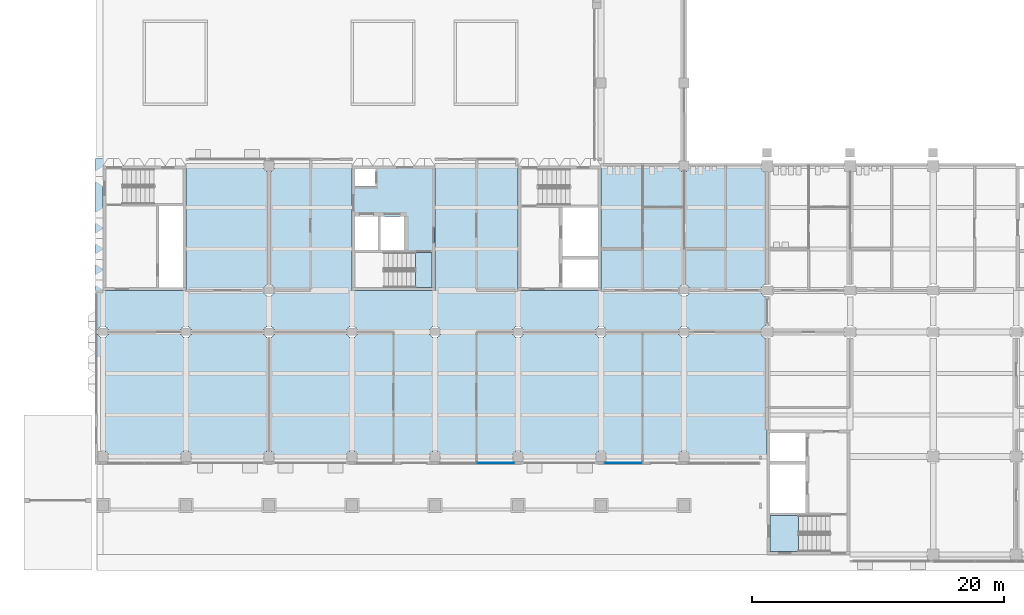
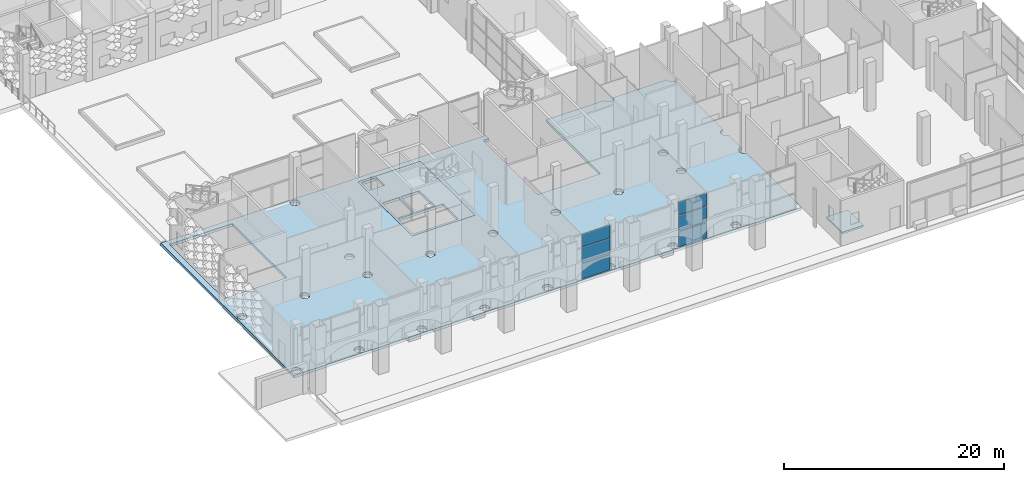
# One storey, part 18 of 85: 6 plates, 4 slabs, 4 elements without a shape of their own.
"""IFC4 building model written with IfcOpenShell, lengths in metres."""

from ifc_helpers import new_model, si_unit, direction, frame, origin, origin_2d, place, context, subcontext, project, spatial, polyline, rectangle, outline, extrude, material, layer, layer_set, type_object, element, aggregate, save


model = new_model("IFC4")

# Units and contexts
model_context = context("Model", 3, precision=1e-05, world=origin(), true_north=direction((0.0, 1.0)))
body_context = subcontext(model_context, "Body", "Model", "MODEL_VIEW")
ifc_project = project(units=[si_unit("LENGTHUNIT", "METRE"), si_unit("AREAUNIT", "SQUARE_METRE"), si_unit("VOLUMEUNIT", "CUBIC_METRE"), si_unit("PLANEANGLEUNIT", "RADIAN"), si_unit("MASSUNIT", "GRAM", prefix="KILO")], contexts=[model_context])

# Site, building, storey
site_placement = place(None, origin())
site = spatial("IfcSite", under=ifc_project, at=site_placement, CompositionType="ELEMENT")
building_placement = place(site_placement, origin())
building = spatial("IfcBuilding", under=site, at=building_placement, Name="Lantern Court Research Institute", CompositionType="ELEMENT")
storey_placement = place(building_placement, origin())
storey = spatial("IfcBuildingStorey", under=building, at=storey_placement, Name="L00", CompositionType="ELEMENT", Elevation=0.0)

# Curtain wall, plates
ifc_material_1 = material(Name="Aluminium alloy 6063-T6", Category="aluminium")
curtain_wall_type_1 = type_object("IfcCurtainWallType", Name="Curtain wall 6150 x 5100 x 150 aluminium frame", PredefinedType="NOTDEFINED", material=ifc_material_1)
curtain_wall_1_placement = place(storey_placement, origin())
curtain_wall_1 = element("IfcCurtainWall", 1, at=curtain_wall_1_placement, inside=storey, type_object=curtain_wall_type_1, Name="Curtain wall CW010", PredefinedType="NOTDEFINED")
ifc_material_2 = material(Name="Laminated low-emissivity glass", Category="glass")
ifc_layer_1 = layer(ifc_material_2, 0.0439453125)
ifc_layer_set_1 = layer_set([ifc_layer_1], Name="Laminated low-emissivity glass")
plate_type = type_object("IfcPlateType", Name="Acoustic laminated unit 44 mm over the arcade", PredefinedType="CURTAIN_PANEL", material=ifc_layer_set_1)
plate_1_placement = place(storey_placement, frame((31.217529296875, -0.52490234375, 0.080078125), z_axis=(0.0, 0.0, 1.0), x_axis=(-1.0, 0.0, 0.0)))
plate_1 = element("IfcPlate", 2, at=plate_1_placement, type_object=plate_type, Name="CW010 glazed panel 2.1", PredefinedType="CURTAIN_PANEL", context=body_context, shape_type="SweptSolid", body=[
    extrude(rectangle(XDim=2.955078125, YDim=0.0439453125, at=origin_2d()), origin(), (0.0, 0.0, 1.0), 1.679931640625),
])
plate_2_placement = place(storey_placement, frame((31.217529296875, -0.52490234375, 1.83984375), z_axis=(0.0, 0.0, 1.0), x_axis=(-1.0, 0.0, 0.0)))
plate_2 = element("IfcPlate", 3, at=plate_2_placement, type_object=plate_type, Name="CW010 glazed panel 2.2", PredefinedType="CURTAIN_PANEL", context=body_context, shape_type="SweptSolid", body=[
    extrude(rectangle(XDim=2.955078125, YDim=0.0439453125, at=origin_2d()), origin(), (0.0, 0.0, 1.0), 1.719970703125),
])
plate_3_placement = place(storey_placement, frame((31.217529296875, -0.52490234375, 3.64013671875), z_axis=(0.0, 0.0, 1.0), x_axis=(-1.0, 0.0, 0.0)))
plate_3 = element("IfcPlate", 4, at=plate_3_placement, type_object=plate_type, Name="CW010 glazed panel 2.3", PredefinedType="CURTAIN_PANEL", context=body_context, shape_type="SweptSolid", body=[
    extrude(rectangle(XDim=2.955078125, YDim=0.0439453125, at=origin_2d()), origin(), (0.0, 0.0, 1.0), 1.3798828125),
])
aggregate(curtain_wall_1, [plate_1, plate_2, plate_3])

ifc_material_3 = material(Name="Aluminium alloy 6063-T6", Category="aluminium")
curtain_wall_type_2 = type_object("IfcCurtainWallType", Name="Curtain wall 3075 x 5100 x 150 aluminium frame", PredefinedType="NOTDEFINED", material=ifc_material_3)
curtain_wall_2_placement = place(storey_placement, origin())
curtain_wall_2 = element("IfcCurtainWall", 5, at=curtain_wall_2_placement, inside=storey, type_object=curtain_wall_type_2, Name="Curtain wall CW011", PredefinedType="NOTDEFINED")
plate_4_placement = place(storey_placement, frame((41.362548828125, -0.52490234375, 0.080078125), z_axis=(0.0, 0.0, 1.0), x_axis=(-1.0, 0.0, 0.0)))
plate_4 = element("IfcPlate", 6, at=plate_4_placement, type_object=plate_type, Name="CW011 glazed panel 1.1", PredefinedType="CURTAIN_PANEL", context=body_context, shape_type="SweptSolid", body=[
    extrude(rectangle(XDim=2.9150390625, YDim=0.0439453125, at=origin_2d()), origin(), (0.0, 0.0, 1.0), 1.679931640625),
])
plate_5_placement = place(storey_placement, frame((41.362548828125, -0.52490234375, 1.83984375), z_axis=(0.0, 0.0, 1.0), x_axis=(-1.0, 0.0, 0.0)))
plate_5 = element("IfcPlate", 7, at=plate_5_placement, type_object=plate_type, Name="CW011 glazed panel 1.2", PredefinedType="CURTAIN_PANEL", context=body_context, shape_type="SweptSolid", body=[
    extrude(rectangle(XDim=2.9150390625, YDim=0.0439453125, at=origin_2d()), origin(), (0.0, 0.0, 1.0), 1.719970703125),
])
plate_6_placement = place(storey_placement, frame((41.362548828125, -0.52490234375, 3.64013671875), z_axis=(0.0, 0.0, 1.0), x_axis=(-1.0, 0.0, 0.0)))
plate_6 = element("IfcPlate", 8, at=plate_6_placement, type_object=plate_type, Name="CW011 glazed panel 1.3", PredefinedType="CURTAIN_PANEL", context=body_context, shape_type="SweptSolid", body=[
    extrude(rectangle(XDim=2.9150390625, YDim=0.0439453125, at=origin_2d()), origin(), (0.0, 0.0, 1.0), 1.3798828125),
])
aggregate(curtain_wall_2, [plate_4, plate_5, plate_6])

# Slabs
ifc_material_4 = material(Name="Concrete C35/45", Category="concrete")
ifc_layer_2 = layer(ifc_material_4, 0.300048828125)
ifc_layer_set_2 = layer_set([ifc_layer_2], Name="Concrete C35/45")
slab_type_1 = type_object("IfcSlabType", Name="RC core floor slab 300", PredefinedType="FLOOR", material=ifc_layer_set_2)
slab_1_placement = place(storey_placement, frame((0.0, 0.0, -0.300048828125)))
element("IfcSlab", 9, at=slab_1_placement, inside=storey, type_object=slab_type_1, Name="Floor of core BC-M", PredefinedType="FLOOR", context=body_context, shape_type="SweptSolid", body=[
    extrude(outline(polyline([(19.800048828125, 13.199951171875), (26.39990234375, 13.199951171875), (26.39990234375, 23.10009765625), (19.800048828125, 23.10009765625), (19.800048828125, 13.199951171875)]), holes=[polyline([(24.800048828125, 16.199951171875), (20.050048828125, 16.199951171875), (20.050048828125, 13.449951171875), (24.800048828125, 13.449951171875), (24.800048828125, 16.199951171875)]), polyline([(20.050048828125, 16.39990234375), (21.85009765625, 16.39990234375), (21.85009765625, 19.10009765625), (20.050048828125, 19.10009765625), (20.050048828125, 16.39990234375)]), polyline([(22.050048828125, 16.39990234375), (23.949951171875, 16.39990234375), (23.949951171875, 19.10009765625), (22.050048828125, 19.10009765625), (22.050048828125, 16.39990234375)]), polyline([(21.64990234375, 21.449951171875), (20.050048828125, 21.449951171875), (20.050048828125, 22.85009765625), (21.64990234375, 22.85009765625), (21.64990234375, 21.449951171875)])]), origin(), (0.0, 0.0, 1.0), 0.300048828125),
])
ifc_material_5 = material(Name="Concrete C35/45", Category="concrete")
ifc_layer_3 = layer(ifc_material_5, 0.300048828125)
ifc_layer_set_3 = layer_set([ifc_layer_3], Name="Concrete C35/45")
slab_type_2 = type_object("IfcSlabType", Name="RC floor slab 300 over car park", PredefinedType="FLOOR", material=ifc_layer_set_3)
slab_2_placement = place(storey_placement, frame((0.0, 0.0, -0.300048828125)))
element("IfcSlab", 10, at=slab_2_placement, inside=storey, type_object=slab_type_2, Name="Floor slab L00 Wet Laboratory Wing", PredefinedType="FLOOR", context=body_context, shape_type="SweptSolid", body=[
    extrude(outline(polyline([(-0.60009765625, 0.0), (-0.60009765625, -0.60009765625), (52.800048828125, -0.60009765625), (52.800048828125, 0.0), (52.800048828125, 2.10009765625), (52.800048828125, 9.397705078125), (52.701904296875, 9.4072265625), (52.607666015625, 9.435791015625), (52.52099609375, 9.482421875), (52.444580078125, 9.544677734375), (52.38232421875, 9.620849609375), (52.335693359375, 9.707763671875), (52.30712890625, 9.802001953125), (52.297607421875, 9.89990234375), (52.30712890625, 9.998046875), (52.335693359375, 10.09228515625), (52.38232421875, 10.17919921875), (52.444580078125, 10.25537109375), (52.52099609375, 10.317626953125), (52.607666015625, 10.3642578125), (52.701904296875, 10.392822265625), (52.800048828125, 10.40234375), (52.800048828125, 12.697509765625), (52.701904296875, 12.707275390625), (52.607666015625, 12.73583984375), (52.52099609375, 12.7822265625), (52.444580078125, 12.8447265625), (52.38232421875, 12.9208984375), (52.335693359375, 13.0078125), (52.30712890625, 13.10205078125), (52.297607421875, 13.199951171875), (52.30712890625, 13.298095703125), (52.335693359375, 13.392333984375), (52.38232421875, 13.47900390625), (52.444580078125, 13.555419921875), (52.52099609375, 13.61767578125), (52.607666015625, 13.664306640625), (52.701904296875, 13.69287109375), (52.800048828125, 13.702392578125), (52.800048828125, 22.59765625), (52.701904296875, 22.607177734375), (52.607666015625, 22.6357421875), (52.52099609375, 22.682373046875), (52.444580078125, 22.74462890625), (52.38232421875, 22.82080078125), (52.335693359375, 22.90771484375), (52.30712890625, 23.001953125), (52.297607421875, 23.10009765625), (46.652099609375, 23.10009765625), (46.6435546875, 23.01171875), (46.617919921875, 22.927001953125), (46.575927734375, 22.848876953125), (46.519775390625, 22.7802734375), (46.451171875, 22.72412109375), (46.373046875, 22.68212890625), (46.2880859375, 22.656494140625), (46.199951171875, 22.647705078125), (46.11181640625, 22.656494140625), (46.027099609375, 22.68212890625), (45.94873046875, 22.72412109375), (45.88037109375, 22.7802734375), (45.823974609375, 22.848876953125), (45.7822265625, 22.927001953125), (45.756591796875, 23.01171875), (45.747802734375, 23.10009765625), (39.60009765625, 23.10009765625), (39.60009765625, 13.199951171875), (33.0, 13.199951171875), (33.0, 23.10009765625), (33.60009765625, 23.10009765625), (33.60009765625, 23.699951171875), (-0.60009765625, 23.699951171875), (-0.60009765625, 23.10009765625), (-0.60009765625, 0.0)]), holes=[polyline([(0.319580078125, -0.319580078125), (0.251220703125, -0.3759765625), (0.173095703125, -0.417724609375), (0.088134765625, -0.443603515625), (0.0, -0.4521484375), (-0.088134765625, -0.443603515625), (-0.173095703125, -0.417724609375), (-0.251220703125, -0.3759765625), (-0.319580078125, -0.319580078125), (-0.3759765625, -0.251220703125), (-0.417724609375, -0.173095703125), (-0.443603515625, -0.088134765625), (-0.4521484375, 0.0), (-0.443603515625, 0.088134765625), (-0.417724609375, 0.173095703125), (-0.3759765625, 0.251220703125), (-0.319580078125, 0.319580078125), (-0.251220703125, 0.3759765625), (-0.173095703125, 0.417724609375), (-0.088134765625, 0.443603515625), (0.0, 0.4521484375), (0.088134765625, 0.443603515625), (0.173095703125, 0.417724609375), (0.251220703125, 0.3759765625), (0.319580078125, 0.319580078125), (0.3759765625, 0.251220703125), (0.417724609375, 0.173095703125), (0.443603515625, 0.088134765625), (0.4521484375, 0.0), (0.443603515625, -0.088134765625), (0.417724609375, -0.173095703125), (0.3759765625, -0.251220703125), (0.319580078125, -0.319580078125)]), polyline([(33.319580078125, -0.319580078125), (33.251220703125, -0.3759765625), (33.173095703125, -0.417724609375), (33.088134765625, -0.443603515625), (33.0, -0.4521484375), (32.911865234375, -0.443603515625), (32.826904296875, -0.417724609375), (32.748779296875, -0.3759765625), (32.680419921875, -0.319580078125), (32.6240234375, -0.251220703125), (32.582275390625, -0.173095703125), (32.556396484375, -0.088134765625), (32.5478515625, 0.0), (32.556396484375, 0.088134765625), (32.582275390625, 0.173095703125), (32.6240234375, 0.251220703125), (32.680419921875, 0.319580078125), (32.748779296875, 0.3759765625), (32.826904296875, 0.417724609375), (32.911865234375, 0.443603515625), (33.0, 0.4521484375), (33.088134765625, 0.443603515625), (33.173095703125, 0.417724609375), (33.251220703125, 0.3759765625), (33.319580078125, 0.319580078125), (33.3759765625, 0.251220703125), (33.417724609375, 0.173095703125), (33.443603515625, 0.088134765625), (33.4521484375, 0.0), (33.443603515625, -0.088134765625), (33.417724609375, -0.173095703125), (33.3759765625, -0.251220703125), (33.319580078125, -0.319580078125)]), polyline([(26.7197265625, -0.319580078125), (26.651123046875, -0.3759765625), (26.572998046875, -0.417724609375), (26.48828125, -0.443603515625), (26.39990234375, -0.4521484375), (26.311767578125, -0.443603515625), (26.22705078125, -0.417724609375), (26.148681640625, -0.3759765625), (26.080322265625, -0.319580078125), (26.02392578125, -0.251220703125), (25.982177734375, -0.173095703125), (25.95654296875, -0.088134765625), (25.94775390625, 0.0), (25.95654296875, 0.088134765625), (25.982177734375, 0.173095703125), (26.02392578125, 0.251220703125), (26.080322265625, 0.319580078125), (26.148681640625, 0.3759765625), (26.22705078125, 0.417724609375), (26.311767578125, 0.443603515625), (26.39990234375, 0.4521484375), (26.48828125, 0.443603515625), (26.572998046875, 0.417724609375), (26.651123046875, 0.3759765625), (26.7197265625, 0.319580078125), (26.77587890625, 0.251220703125), (26.81787109375, 0.173095703125), (26.843505859375, 0.088134765625), (26.852294921875, 0.0), (26.843505859375, -0.088134765625), (26.81787109375, -0.173095703125), (26.77587890625, -0.251220703125), (26.7197265625, -0.319580078125)]), polyline([(20.11962890625, -0.319580078125), (20.05126953125, -0.3759765625), (19.972900390625, -0.417724609375), (19.88818359375, -0.443603515625), (19.800048828125, -0.4521484375), (19.7119140625, -0.443603515625), (19.626953125, -0.417724609375), (19.548828125, -0.3759765625), (19.480224609375, -0.319580078125), (19.424072265625, -0.251220703125), (19.382080078125, -0.173095703125), (19.3564453125, -0.088134765625), (19.347900390625, 0.0), (19.3564453125, 0.088134765625), (19.382080078125, 0.173095703125), (19.424072265625, 0.251220703125), (19.480224609375, 0.319580078125), (19.548828125, 0.3759765625), (19.626953125, 0.417724609375), (19.7119140625, 0.443603515625), (19.800048828125, 0.4521484375), (19.88818359375, 0.443603515625), (19.972900390625, 0.417724609375), (20.05126953125, 0.3759765625), (20.11962890625, 0.319580078125), (20.176025390625, 0.251220703125), (20.2177734375, 0.173095703125), (20.243408203125, 0.088134765625), (20.252197265625, 0.0), (20.243408203125, -0.088134765625), (20.2177734375, -0.173095703125), (20.176025390625, -0.251220703125), (20.11962890625, -0.319580078125)]), polyline([(13.519775390625, -0.319580078125), (13.451171875, -0.3759765625), (13.373046875, -0.417724609375), (13.2880859375, -0.443603515625), (13.199951171875, -0.4521484375), (13.11181640625, -0.443603515625), (13.027099609375, -0.417724609375), (12.94873046875, -0.3759765625), (12.88037109375, -0.319580078125), (12.823974609375, -0.251220703125), (12.7822265625, -0.173095703125), (12.756591796875, -0.088134765625), (12.747802734375, 0.0), (12.756591796875, 0.088134765625), (12.7822265625, 0.173095703125), (12.823974609375, 0.251220703125), (12.88037109375, 0.319580078125), (12.94873046875, 0.3759765625), (13.027099609375, 0.417724609375), (13.11181640625, 0.443603515625), (13.199951171875, 0.4521484375), (13.2880859375, 0.443603515625), (13.373046875, 0.417724609375), (13.451171875, 0.3759765625), (13.519775390625, 0.319580078125), (13.575927734375, 0.251220703125), (13.617919921875, 0.173095703125), (13.6435546875, 0.088134765625), (13.652099609375, 0.0), (13.6435546875, -0.088134765625), (13.617919921875, -0.173095703125), (13.575927734375, -0.251220703125), (13.519775390625, -0.319580078125)]), polyline([(6.919677734375, -0.319580078125), (6.851318359375, -0.3759765625), (6.77294921875, -0.417724609375), (6.688232421875, -0.443603515625), (6.60009765625, -0.4521484375), (6.51171875, -0.443603515625), (6.427001953125, -0.417724609375), (6.348876953125, -0.3759765625), (6.2802734375, -0.319580078125), (6.22412109375, -0.251220703125), (6.18212890625, -0.173095703125), (6.156494140625, -0.088134765625), (6.147705078125, 0.0), (6.156494140625, 0.088134765625), (6.18212890625, 0.173095703125), (6.22412109375, 0.251220703125), (6.2802734375, 0.319580078125), (6.348876953125, 0.3759765625), (6.427001953125, 0.417724609375), (6.51171875, 0.443603515625), (6.60009765625, 0.4521484375), (6.688232421875, 0.443603515625), (6.77294921875, 0.417724609375), (6.851318359375, 0.3759765625), (6.919677734375, 0.319580078125), (6.97607421875, 0.251220703125), (7.017822265625, 0.173095703125), (7.04345703125, 0.088134765625), (7.05224609375, 0.0), (7.04345703125, -0.088134765625), (7.017822265625, -0.173095703125), (6.97607421875, -0.251220703125), (6.919677734375, -0.319580078125)]), polyline([(6.919677734375, 9.580322265625), (6.851318359375, 9.52392578125), (6.77294921875, 9.482177734375), (6.688232421875, 9.45654296875), (6.60009765625, 9.44775390625), (6.51171875, 9.45654296875), (6.427001953125, 9.482177734375), (6.348876953125, 9.52392578125), (6.2802734375, 9.580322265625), (6.22412109375, 9.648681640625), (6.18212890625, 9.72705078125), (6.156494140625, 9.811767578125), (6.147705078125, 9.89990234375), (6.156494140625, 9.98828125), (6.18212890625, 10.072998046875), (6.22412109375, 10.151123046875), (6.2802734375, 10.2197265625), (6.348876953125, 10.27587890625), (6.427001953125, 10.31787109375), (6.51171875, 10.343505859375), (6.60009765625, 10.352294921875), (6.688232421875, 10.343505859375), (6.77294921875, 10.31787109375), (6.851318359375, 10.27587890625), (6.919677734375, 10.2197265625), (6.97607421875, 10.151123046875), (7.017822265625, 10.072998046875), (7.04345703125, 9.98828125), (7.05224609375, 9.89990234375), (7.04345703125, 9.811767578125), (7.017822265625, 9.72705078125), (6.97607421875, 9.648681640625), (6.919677734375, 9.580322265625)]), polyline([(13.451171875, 9.52392578125), (13.373046875, 9.482177734375), (13.2880859375, 9.45654296875), (13.199951171875, 9.44775390625), (13.11181640625, 9.45654296875), (13.027099609375, 9.482177734375), (12.94873046875, 9.52392578125), (12.88037109375, 9.580322265625), (12.823974609375, 9.648681640625), (12.7822265625, 9.72705078125), (12.756591796875, 9.811767578125), (12.747802734375, 9.89990234375), (12.756591796875, 9.98828125), (12.7822265625, 10.072998046875), (12.823974609375, 10.151123046875), (12.88037109375, 10.2197265625), (12.94873046875, 10.27587890625), (13.027099609375, 10.31787109375), (13.11181640625, 10.343505859375), (13.199951171875, 10.352294921875), (13.2880859375, 10.343505859375), (13.373046875, 10.31787109375), (13.451171875, 10.27587890625), (13.519775390625, 10.2197265625), (13.575927734375, 10.151123046875), (13.617919921875, 10.072998046875), (13.6435546875, 9.98828125), (13.652099609375, 9.89990234375), (13.6435546875, 9.811767578125), (13.617919921875, 9.72705078125), (13.575927734375, 9.648681640625), (13.519775390625, 9.580322265625), (13.451171875, 9.52392578125)]), polyline([(20.05126953125, 9.52392578125), (19.972900390625, 9.482177734375), (19.88818359375, 9.45654296875), (19.800048828125, 9.44775390625), (19.7119140625, 9.45654296875), (19.626953125, 9.482177734375), (19.548828125, 9.52392578125), (19.480224609375, 9.580322265625), (19.424072265625, 9.648681640625), (19.382080078125, 9.72705078125), (19.3564453125, 9.811767578125), (19.347900390625, 9.89990234375), (19.3564453125, 9.98828125), (19.382080078125, 10.072998046875), (19.424072265625, 10.151123046875), (19.480224609375, 10.2197265625), (19.548828125, 10.27587890625), (19.626953125, 10.31787109375), (19.7119140625, 10.343505859375), (19.800048828125, 10.352294921875), (19.88818359375, 10.343505859375), (19.972900390625, 10.31787109375), (20.05126953125, 10.27587890625), (20.11962890625, 10.2197265625), (20.176025390625, 10.151123046875), (20.2177734375, 10.072998046875), (20.243408203125, 9.98828125), (20.252197265625, 9.89990234375), (20.243408203125, 9.811767578125), (20.2177734375, 9.72705078125), (20.176025390625, 9.648681640625), (20.11962890625, 9.580322265625), (20.05126953125, 9.52392578125)]), polyline([(26.7197265625, 9.580322265625), (26.651123046875, 9.52392578125), (26.572998046875, 9.482177734375), (26.48828125, 9.45654296875), (26.39990234375, 9.44775390625), (26.311767578125, 9.45654296875), (26.22705078125, 9.482177734375), (26.148681640625, 9.52392578125), (26.080322265625, 9.580322265625), (26.02392578125, 9.648681640625), (25.982177734375, 9.72705078125), (25.95654296875, 9.811767578125), (25.94775390625, 9.89990234375), (25.95654296875, 9.98828125), (25.982177734375, 10.072998046875), (26.02392578125, 10.151123046875), (26.080322265625, 10.2197265625), (26.148681640625, 10.27587890625), (26.22705078125, 10.31787109375), (26.311767578125, 10.343505859375), (26.39990234375, 10.352294921875), (26.48828125, 10.343505859375), (26.572998046875, 10.31787109375), (26.651123046875, 10.27587890625), (26.7197265625, 10.2197265625), (26.77587890625, 10.151123046875), (26.81787109375, 10.072998046875), (26.843505859375, 9.98828125), (26.852294921875, 9.89990234375), (26.843505859375, 9.811767578125), (26.81787109375, 9.72705078125), (26.77587890625, 9.648681640625), (26.7197265625, 9.580322265625)]), polyline([(33.319580078125, 9.580322265625), (33.251220703125, 9.52392578125), (33.173095703125, 9.482177734375), (33.088134765625, 9.45654296875), (33.0, 9.44775390625), (32.911865234375, 9.45654296875), (32.826904296875, 9.482177734375), (32.748779296875, 9.52392578125), (32.680419921875, 9.580322265625), (32.6240234375, 9.648681640625), (32.582275390625, 9.72705078125), (32.556396484375, 9.811767578125), (32.5478515625, 9.89990234375), (32.556396484375, 9.98828125), (32.582275390625, 10.072998046875), (32.6240234375, 10.151123046875), (32.680419921875, 10.2197265625), (32.748779296875, 10.27587890625), (32.826904296875, 10.31787109375), (32.911865234375, 10.343505859375), (33.0, 10.352294921875), (33.088134765625, 10.343505859375), (33.173095703125, 10.31787109375), (33.251220703125, 10.27587890625), (33.319580078125, 10.2197265625), (33.3759765625, 10.151123046875), (33.417724609375, 10.072998046875), (33.443603515625, 9.98828125), (33.4521484375, 9.89990234375), (33.443603515625, 9.811767578125), (33.417724609375, 9.72705078125), (33.3759765625, 9.648681640625), (33.319580078125, 9.580322265625)]), polyline([(0.319580078125, 9.580322265625), (0.251220703125, 9.52392578125), (0.173095703125, 9.482177734375), (0.088134765625, 9.45654296875), (0.0, 9.44775390625), (-0.088134765625, 9.45654296875), (-0.173095703125, 9.482177734375), (-0.251220703125, 9.52392578125), (-0.319580078125, 9.580322265625), (-0.3759765625, 9.648681640625), (-0.417724609375, 9.72705078125), (-0.443603515625, 9.811767578125), (-0.4521484375, 9.89990234375), (-0.443603515625, 9.98828125), (-0.417724609375, 10.072998046875), (-0.3759765625, 10.151123046875), (-0.319580078125, 10.2197265625), (-0.251220703125, 10.27587890625), (-0.173095703125, 10.31787109375), (-0.088134765625, 10.343505859375), (0.0, 10.352294921875), (0.088134765625, 10.343505859375), (0.173095703125, 10.31787109375), (0.251220703125, 10.27587890625), (0.319580078125, 10.2197265625), (0.3759765625, 10.151123046875), (0.417724609375, 10.072998046875), (0.443603515625, 9.98828125), (0.4521484375, 9.89990234375), (0.443603515625, 9.811767578125), (0.417724609375, 9.72705078125), (0.3759765625, 9.648681640625), (0.319580078125, 9.580322265625)]), polyline([(13.519775390625, 12.88037109375), (13.451171875, 12.823974609375), (13.373046875, 12.7822265625), (13.2880859375, 12.756591796875), (13.199951171875, 12.747802734375), (13.11181640625, 12.756591796875), (13.027099609375, 12.7822265625), (12.94873046875, 12.823974609375), (12.88037109375, 12.88037109375), (12.823974609375, 12.94873046875), (12.7822265625, 13.027099609375), (12.756591796875, 13.11181640625), (12.747802734375, 13.199951171875), (12.756591796875, 13.2880859375), (12.7822265625, 13.373046875), (12.823974609375, 13.451171875), (12.88037109375, 13.519775390625), (12.94873046875, 13.575927734375), (13.027099609375, 13.617919921875), (13.11181640625, 13.6435546875), (13.199951171875, 13.652099609375), (13.2880859375, 13.6435546875), (13.373046875, 13.617919921875), (13.451171875, 13.575927734375), (13.519775390625, 13.519775390625), (13.575927734375, 13.451171875), (13.617919921875, 13.373046875), (13.6435546875, 13.2880859375), (13.652099609375, 13.199951171875), (13.6435546875, 13.11181640625), (13.617919921875, 13.027099609375), (13.575927734375, 12.94873046875), (13.519775390625, 12.88037109375)]), polyline([(26.39990234375, 13.199951171875), (19.800048828125, 13.199951171875), (19.800048828125, 23.10009765625), (26.39990234375, 23.10009765625), (26.39990234375, 13.199951171875)]), polyline([(6.60009765625, 13.199951171875), (0.0, 13.199951171875), (0.0, 23.10009765625), (6.60009765625, 23.10009765625), (6.60009765625, 13.199951171875)]), polyline([(13.519775390625, 22.7802734375), (13.451171875, 22.72412109375), (13.373046875, 22.68212890625), (13.2880859375, 22.656494140625), (13.199951171875, 22.647705078125), (13.11181640625, 22.656494140625), (13.027099609375, 22.68212890625), (12.94873046875, 22.72412109375), (12.88037109375, 22.7802734375), (12.823974609375, 22.848876953125), (12.7822265625, 22.927001953125), (12.756591796875, 23.01171875), (12.747802734375, 23.10009765625), (12.756591796875, 23.188232421875), (12.7822265625, 23.27294921875), (12.823974609375, 23.351318359375), (12.88037109375, 23.419677734375), (12.94873046875, 23.47607421875), (13.027099609375, 23.517822265625), (13.11181640625, 23.54345703125), (13.199951171875, 23.55224609375), (13.2880859375, 23.54345703125), (13.373046875, 23.517822265625), (13.451171875, 23.47607421875), (13.519775390625, 23.419677734375), (13.575927734375, 23.351318359375), (13.617919921875, 23.27294921875), (13.6435546875, 23.188232421875), (13.652099609375, 23.10009765625), (13.6435546875, 23.01171875), (13.617919921875, 22.927001953125), (13.575927734375, 22.848876953125), (13.519775390625, 22.7802734375)]), polyline([(39.919677734375, -0.319580078125), (39.851318359375, -0.3759765625), (39.77294921875, -0.417724609375), (39.688232421875, -0.443603515625), (39.60009765625, -0.4521484375), (39.51171875, -0.443603515625), (39.427001953125, -0.417724609375), (39.348876953125, -0.3759765625), (39.2802734375, -0.319580078125), (39.22412109375, -0.251220703125), (39.18212890625, -0.173095703125), (39.156494140625, -0.088134765625), (39.147705078125, 0.0), (39.156494140625, 0.088134765625), (39.18212890625, 0.173095703125), (39.22412109375, 0.251220703125), (39.2802734375, 0.319580078125), (39.348876953125, 0.3759765625), (39.427001953125, 0.417724609375), (39.51171875, 0.443603515625), (39.60009765625, 0.4521484375), (39.688232421875, 0.443603515625), (39.77294921875, 0.417724609375), (39.851318359375, 0.3759765625), (39.919677734375, 0.319580078125), (39.97607421875, 0.251220703125), (40.017822265625, 0.173095703125), (40.04345703125, 0.088134765625), (40.05224609375, 0.0), (40.04345703125, -0.088134765625), (40.017822265625, -0.173095703125), (39.97607421875, -0.251220703125), (39.919677734375, -0.319580078125)]), polyline([(46.519775390625, -0.319580078125), (46.451171875, -0.3759765625), (46.373046875, -0.417724609375), (46.2880859375, -0.443603515625), (46.199951171875, -0.4521484375), (46.11181640625, -0.443603515625), (46.027099609375, -0.417724609375), (45.94873046875, -0.3759765625), (45.88037109375, -0.319580078125), (45.823974609375, -0.251220703125), (45.7822265625, -0.173095703125), (45.756591796875, -0.088134765625), (45.747802734375, 0.0), (45.756591796875, 0.088134765625), (45.7822265625, 0.173095703125), (45.823974609375, 0.251220703125), (45.88037109375, 0.319580078125), (45.94873046875, 0.3759765625), (46.027099609375, 0.417724609375), (46.11181640625, 0.443603515625), (46.199951171875, 0.4521484375), (46.2880859375, 0.443603515625), (46.373046875, 0.417724609375), (46.451171875, 0.3759765625), (46.519775390625, 0.319580078125), (46.575927734375, 0.251220703125), (46.617919921875, 0.173095703125), (46.6435546875, 0.088134765625), (46.652099609375, 0.0), (46.6435546875, -0.088134765625), (46.617919921875, -0.173095703125), (46.575927734375, -0.251220703125), (46.519775390625, -0.319580078125)]), polyline([(39.919677734375, 9.580322265625), (39.851318359375, 9.52392578125), (39.77294921875, 9.482177734375), (39.688232421875, 9.45654296875), (39.60009765625, 9.44775390625), (39.51171875, 9.45654296875), (39.427001953125, 9.482177734375), (39.348876953125, 9.52392578125), (39.2802734375, 9.580322265625), (39.22412109375, 9.648681640625), (39.18212890625, 9.72705078125), (39.156494140625, 9.811767578125), (39.147705078125, 9.89990234375), (39.156494140625, 9.98828125), (39.18212890625, 10.072998046875), (39.22412109375, 10.151123046875), (39.2802734375, 10.2197265625), (39.348876953125, 10.27587890625), (39.427001953125, 10.31787109375), (39.51171875, 10.343505859375), (39.60009765625, 10.352294921875), (39.688232421875, 10.343505859375), (39.77294921875, 10.31787109375), (39.851318359375, 10.27587890625), (39.919677734375, 10.2197265625), (39.97607421875, 10.151123046875), (40.017822265625, 10.072998046875), (40.04345703125, 9.98828125), (40.05224609375, 9.89990234375), (40.04345703125, 9.811767578125), (40.017822265625, 9.72705078125), (39.97607421875, 9.648681640625), (39.919677734375, 9.580322265625)]), polyline([(46.519775390625, 9.580322265625), (46.451171875, 9.52392578125), (46.373046875, 9.482177734375), (46.2880859375, 9.45654296875), (46.199951171875, 9.44775390625), (46.11181640625, 9.45654296875), (46.027099609375, 9.482177734375), (45.94873046875, 9.52392578125), (45.88037109375, 9.580322265625), (45.823974609375, 9.648681640625), (45.7822265625, 9.72705078125), (45.756591796875, 9.811767578125), (45.747802734375, 9.89990234375), (45.756591796875, 9.98828125), (45.7822265625, 10.072998046875), (45.823974609375, 10.151123046875), (45.88037109375, 10.2197265625), (45.94873046875, 10.27587890625), (46.027099609375, 10.31787109375), (46.11181640625, 10.343505859375), (46.199951171875, 10.352294921875), (46.2880859375, 10.343505859375), (46.373046875, 10.31787109375), (46.451171875, 10.27587890625), (46.519775390625, 10.2197265625), (46.575927734375, 10.151123046875), (46.617919921875, 10.072998046875), (46.6435546875, 9.98828125), (46.652099609375, 9.89990234375), (46.6435546875, 9.811767578125), (46.617919921875, 9.72705078125), (46.575927734375, 9.648681640625), (46.519775390625, 9.580322265625)]), polyline([(46.451171875, 12.823974609375), (46.373046875, 12.7822265625), (46.2880859375, 12.756591796875), (46.199951171875, 12.747802734375), (46.11181640625, 12.756591796875), (46.027099609375, 12.7822265625), (45.94873046875, 12.823974609375), (45.88037109375, 12.88037109375), (45.823974609375, 12.94873046875), (45.7822265625, 13.027099609375), (45.756591796875, 13.11181640625), (45.747802734375, 13.199951171875), (45.756591796875, 13.2880859375), (45.7822265625, 13.373046875), (45.823974609375, 13.451171875), (45.88037109375, 13.519775390625), (45.94873046875, 13.575927734375), (46.027099609375, 13.617919921875), (46.11181640625, 13.6435546875), (46.199951171875, 13.652099609375), (46.2880859375, 13.6435546875), (46.373046875, 13.617919921875), (46.451171875, 13.575927734375), (46.519775390625, 13.519775390625), (46.575927734375, 13.451171875), (46.617919921875, 13.373046875), (46.6435546875, 13.2880859375), (46.652099609375, 13.199951171875), (46.6435546875, 13.11181640625), (46.617919921875, 13.027099609375), (46.575927734375, 12.94873046875), (46.519775390625, 12.88037109375), (46.451171875, 12.823974609375)])]), origin(), (0.0, 0.0, 1.0), 0.300048828125),
])

# Stair, slab
ifc_material_6 = material(Name="Concrete C40/50", Category="concrete")
stair_type_1 = type_object("IfcStairType", Name="RC half-turn stair 1300 wide, 5400 rise, 6100 shaft", PredefinedType="HALF_TURN_STAIR", material=ifc_material_6)
stair_1_placement = place(storey_placement, origin())
stair_1 = element("IfcStair", 11, at=stair_1_placement, inside=storey, type_object=stair_type_1, Name="L00 stair ST-B2", PredefinedType="HALF_TURN_STAIR")
ifc_material_7 = material(Name="Concrete C40/50", Category="concrete")
ifc_layer_4 = layer(ifc_material_7, 0.199951171875)
ifc_layer_set_4 = layer_set([ifc_layer_4], Name="Concrete C40/50")
slab_type_3 = type_object("IfcSlabType", Name="RC stair landing 200", PredefinedType="LANDING", material=ifc_layer_set_4)
slab_3_placement = place(storey_placement, frame((0.0, 0.0, 2.5)))
slab_3 = element("IfcSlab", 12, at=slab_3_placement, type_object=slab_type_3, Name="ST-B2 landing 2", PredefinedType="LANDING", context=body_context, shape_type="SweptSolid", body=[
    extrude(outline(polyline([(26.14990234375, 16.199951171875), (24.85009765625, 16.199951171875), (24.85009765625, 13.449951171875), (26.14990234375, 13.449951171875), (26.14990234375, 16.199951171875)])), origin(), (0.0, 0.0, 1.0), 0.199951171875),
])
aggregate(stair_1, [slab_3])

ifc_material_8 = material(Name="Concrete C40/50", Category="concrete")
stair_type_2 = type_object("IfcStairType", Name="RC half-turn stair 1350 wide, 5400 rise, 6100 shaft", PredefinedType="HALF_TURN_STAIR", material=ifc_material_8)
stair_2_placement = place(storey_placement, origin())
stair_2 = element("IfcStair", 13, at=stair_2_placement, inside=storey, type_object=stair_type_2, Name="L00 stair ST-T1", PredefinedType="HALF_TURN_STAIR")
slab_4_placement = place(storey_placement, frame((0.0, 0.0, 1.14990234375)))
slab_4 = element("IfcSlab", 14, at=slab_4_placement, type_object=slab_type_3, Name="ST-T1 landing 1", PredefinedType="LANDING", context=body_context, shape_type="SweptSolid", body=[
    extrude(outline(polyline([(55.280029296875, -4.699951171875), (53.050048828125, -4.699951171875), (53.050048828125, -7.550048828125), (55.280029296875, -7.550048828125), (55.280029296875, -4.699951171875)])), origin(), (0.0, 0.0, 1.0), 0.2001953125),
])
aggregate(stair_2, [slab_4])

save(model, "model.ifc")
